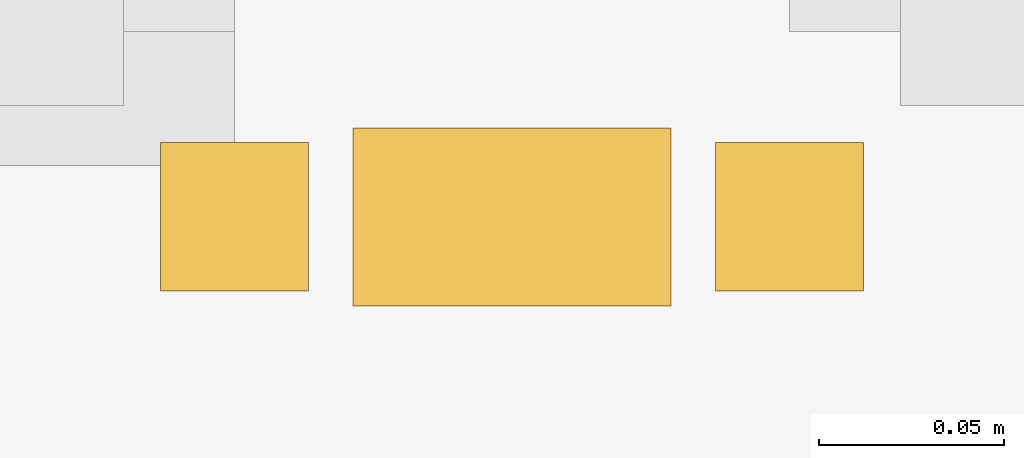
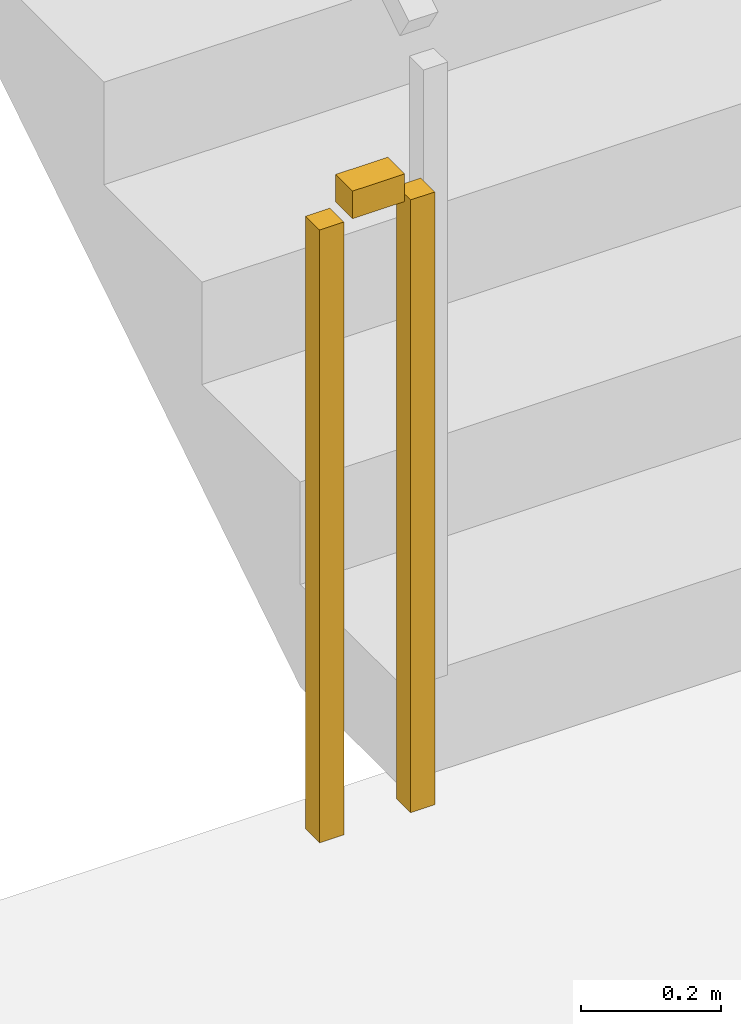
# One storey, part 11 of 15: 1 railing.
"""IFC4 building model written with IfcOpenShell, lengths in metres."""

from ifc_helpers import new_model, si_unit, direction, frame, origin, origin_2d, place, context, subcontext, project, spatial, rectangle, extrude, material, type_object, element, save


model = new_model("IFC4")

# Units and contexts
model_context = context("Model", 3, precision=1e-05, world=origin(), true_north=direction((0.0, 1.0)))
body_context = subcontext(model_context, "Body", "Model", "MODEL_VIEW")
ifc_project = project(units=[si_unit("LENGTHUNIT", "METRE"), si_unit("AREAUNIT", "SQUARE_METRE"), si_unit("VOLUMEUNIT", "CUBIC_METRE"), si_unit("PLANEANGLEUNIT", "RADIAN"), si_unit("MASSUNIT", "GRAM", prefix="KILO")], contexts=[model_context])

# Site, building, storey
site_placement = place(None, origin())
site = spatial("IfcSite", under=ifc_project, at=site_placement, CompositionType="ELEMENT")
building_placement = place(site_placement, origin())
building = spatial("IfcBuilding", under=site, at=building_placement, Name="Tharavind Bronze Gate", CompositionType="ELEMENT")
storey_placement = place(building_placement, frame((0.0, 0.0, 222.050048828125)))
storey = spatial("IfcBuildingStorey", under=building, at=storey_placement, Name="L57", CompositionType="ELEMENT", Elevation=222.050048828125)

# Railing
ifc_material = material(Name="Brushed Bronze Alloy", Category="metal")
railing_type = type_object("IfcRailingType", Name="STAIR WELL GUARD RAILING 1120", PredefinedType="GUARDRAIL", material=ifc_material)
railing_placement = place(storey_placement, frame((-6.85009765625, -2.300048828125, 0.0)))
element("IfcRailing", 1, at=railing_placement, inside=storey, type_object=railing_type, Name="L57 ST1 stair guard 4", PredefinedType="GUARDRAIL", context=body_context, shape_type="SweptSolid", body=[
    extrude(rectangle(XDim=0.048095703125, YDim=0.048095703125, at=origin_2d()), frame((-0.031982421875, 0.0, 1.09619140625), z_axis=(-1.0, 0.0, 0.0), x_axis=(0.0, -1.0, 0.0)), (0.0, 0.0, 1.0), 0.0859375),
    extrude(rectangle(XDim=0.0400390625, YDim=0.0400390625, at=origin_2d()), origin(), (0.0, 0.0, 1.0), 1.068115234375),
    extrude(rectangle(XDim=0.0400390625, YDim=0.0400390625, at=origin_2d()), frame((-0.14990234375, 0.0, 0.0)), (0.0, 0.0, 1.0), 1.068115234375),
])

save(model, "model.ifc")
